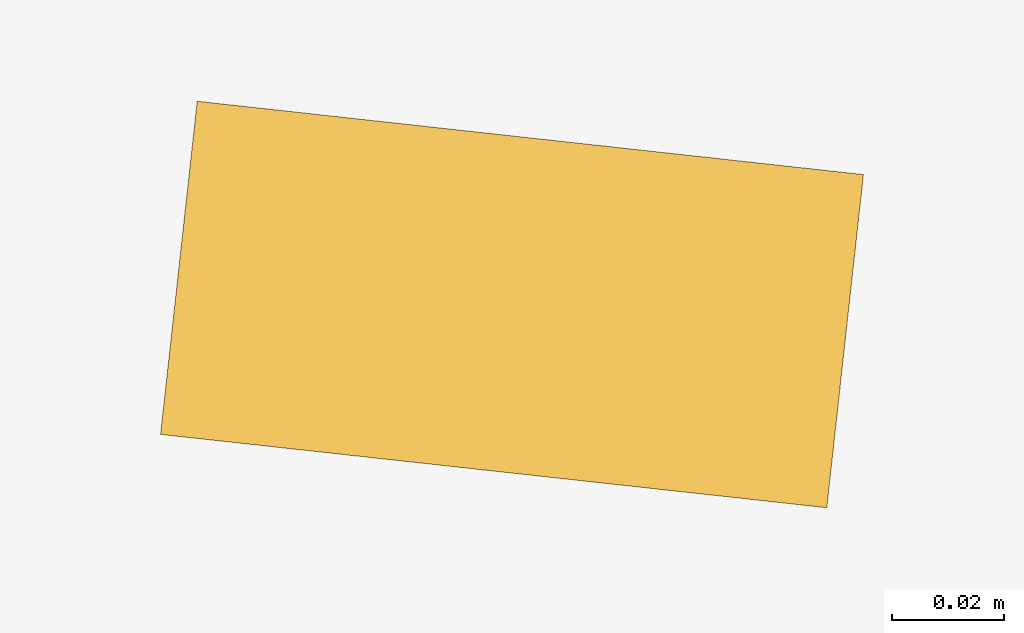
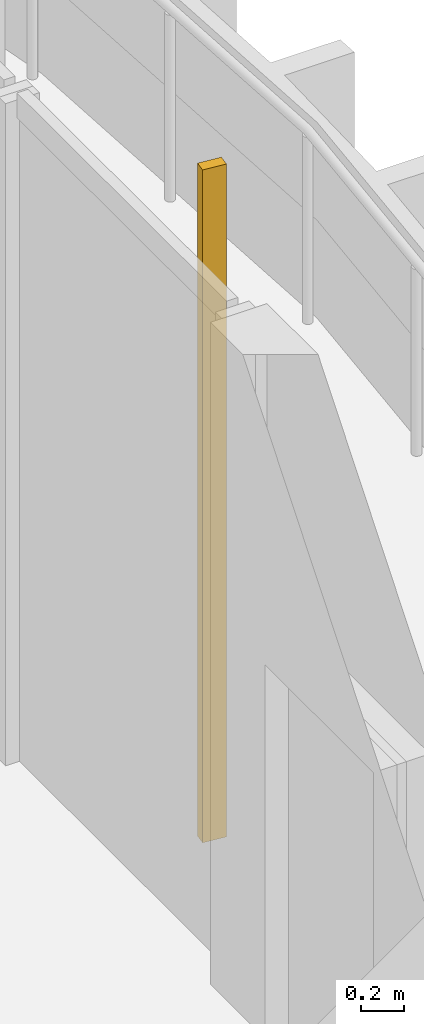
# One storey, part 25 of 27: 1 shading device.
"""IFC4 building model written with IfcOpenShell, lengths in metres."""

import ifcopenshell
import ifcopenshell.guid

model = None  # the IFC model being written
_history = None  # IfcOwnerHistory: only IFC2X3 demands one
_inside = {}  # id of a spatial element -> (the spatial element, [elements in it])
_under = {}  # id of a project, library or spatial element -> (it, [spatial elements below it])
_declared = {}  # id of a project -> (the project, [libraries it declares])
_typed = {}  # id of a type object -> (the type object, [elements of that type])
_made_of = {}  # id of a material, layer set ... -> (it, [elements and type objects made of it])


def new_model(schema):
    """Start an empty IFC model of exactly this schema.

    Asked for "IFC4X3", IfcOpenShell would pick the latest addendum, in which some entities
    have other attributes; the version numbers below select the first issue.
    IFC2X3 requires an IfcOwnerHistory on every rooted entity: one is made here for all.
    """
    global model, _history
    if schema == "IFC4X3":
        model = ifcopenshell.file(schema_version=(4, 3, 0, 0))
    else:
        model = ifcopenshell.file(schema=schema)
    _inside.clear()
    _under.clear()
    _declared.clear()
    _typed.clear()
    _made_of.clear()
    _history = None
    if model.schema == "IFC2X3":
        org = make("IfcOrganization", Name="unknown")
        user = make(
            "IfcPersonAndOrganization",
            ThePerson=make("IfcPerson", FamilyName="unknown"),
            TheOrganization=org,
        )
        app = make(
            "IfcApplication",
            ApplicationDeveloper=org,
            Version="unknown",
            ApplicationFullName="unknown",
            ApplicationIdentifier="unknown",
        )
        _history = make(
            "IfcOwnerHistory",
            OwningUser=user,
            OwningApplication=app,
            ChangeAction="ADDED",
            CreationDate=0,
        )
    return model


def make(cls, **values):
    """One entity of the class cls with the attributes given. An attribute that is None is left unset."""
    return model.create_entity(
        cls, **{name: value for name, value in values.items() if value is not None}
    )


def rooted(cls, **values):
    """An entity with a GlobalId (a new one), such as an element, a storey or a relation."""
    return make(cls, GlobalId=ifcopenshell.guid.new(), OwnerHistory=_history, **values)


def si_unit(unit_type, name, prefix=None):
    """IfcSIUnit, for example si_unit("LENGTHUNIT", "METRE", prefix="MILLI")."""
    return make("IfcSIUnit", UnitType=unit_type, Prefix=prefix, Name=name)


def assignment(units):
    """IfcUnitAssignment: the units of a project."""
    return None if units is None else make("IfcUnitAssignment", Units=units)


def point(xyz):
    """IfcCartesianPoint."""
    return None if xyz is None else make("IfcCartesianPoint", Coordinates=xyz)


def direction(xyz):
    """IfcDirection."""
    return None if xyz is None else make("IfcDirection", DirectionRatios=xyz)


def frame(location, z_axis=None, x_axis=None):
    """IfcAxis2Placement3D, a coordinate frame: its origin and axes. An axis left out is left unset."""
    return make(
        "IfcAxis2Placement3D",
        Location=point(location),
        Axis=direction(z_axis),
        RefDirection=direction(x_axis),
    )


def frame_2d(location, x_axis=None):
    """IfcAxis2Placement2D, a coordinate frame in the plane: its origin and x axis."""
    return make(
        "IfcAxis2Placement2D", Location=point(location), RefDirection=direction(x_axis)
    )


def origin():
    """The frame at (0, 0, 0) with its axes left unset."""
    return frame((0.0, 0.0, 0.0))


def origin_2d():
    """The frame at (0, 0) in the plane with its x axis left unset."""
    return frame_2d((0.0, 0.0))


def place(relative_to, where):
    """IfcLocalPlacement: puts the frame where relative to a parent placement (None: the world)."""
    return make(
        "IfcLocalPlacement", PlacementRelTo=relative_to, RelativePlacement=where
    )


def context(
    kind, dimensions, precision=None, world=None, true_north=None, identifier=None
):
    """IfcGeometricRepresentationContext, for example the 3D "Model" context."""
    return make(
        "IfcGeometricRepresentationContext",
        ContextIdentifier=identifier,
        ContextType=kind,
        CoordinateSpaceDimension=dimensions,
        Precision=precision,
        WorldCoordinateSystem=world,
        TrueNorth=true_north,
    )


def subcontext(parent, identifier, kind, view, scale=None):
    """IfcGeometricRepresentationSubContext, for example "Body" below "Model"."""
    return make(
        "IfcGeometricRepresentationSubContext",
        ContextIdentifier=identifier,
        ContextType=kind,
        ParentContext=parent,
        TargetScale=scale,
        TargetView=view,
    )


def project(units=None, contexts=None):
    """IfcProject with its units and contexts."""
    return rooted(
        "IfcProject",
        Name="project",
        RepresentationContexts=contexts,
        UnitsInContext=assignment(units),
    )


def spatial(cls, under=None, at=None, **own):
    """A site, building, storey or space (cls), placed at a placement, below another one or the project."""
    s = rooted(cls, ObjectPlacement=at, **own)
    if under is not None:
        _under.setdefault(under.id(), (under, []))[1].append(s)
    return s


def profile(cls, at=None, kind="AREA", **sizes):
    """A parametric profile (cls). Its sizes go by their IFC names, for example OverallWidth=200.0."""
    return make(cls, ProfileType=kind, Position=at, **sizes)


def rectangle(**sizes):
    """IfcRectangleProfileDef."""
    return profile("IfcRectangleProfileDef", **sizes)


def extrude(swept, where, along, depth):
    """IfcExtrudedAreaSolid: the profile swept, set in the frame where, extruded along a direction by depth."""
    return make(
        "IfcExtrudedAreaSolid",
        SweptArea=swept,
        Position=where,
        ExtrudedDirection=direction(along),
        Depth=depth,
    )


def shape(context_of_items, identifier, shape_type, items):
    """IfcShapeRepresentation: the items that make up one representation, for example the "Body"."""
    return make(
        "IfcShapeRepresentation",
        ContextOfItems=context_of_items,
        RepresentationIdentifier=identifier,
        RepresentationType=shape_type,
        Items=items,
    )


def source(mapping_origin, context_of_items, identifier, shape_type, items):
    """IfcRepresentationMap: a shape defined once, which mapped items show again and again."""
    return make(
        "IfcRepresentationMap",
        MappingOrigin=mapping_origin,
        MappedRepresentation=shape(context_of_items, identifier, shape_type, items),
    )


def transform(
    local_origin,
    x_axis=None,
    y_axis=None,
    z_axis=None,
    scale=None,
    scale2=None,
    scale3=None,
    uniform=True,
):
    """IfcCartesianTransformationOperator3D, or its non-uniform kind. x_axis, y_axis, z_axis: its Axis1, 2, 3."""
    if uniform:
        return make(
            "IfcCartesianTransformationOperator3D",
            Axis1=direction(x_axis),
            Axis2=direction(y_axis),
            LocalOrigin=point(local_origin),
            Scale=scale,
            Axis3=direction(z_axis),
        )
    return make(
        "IfcCartesianTransformationOperator3DnonUniform",
        Axis1=direction(x_axis),
        Axis2=direction(y_axis),
        LocalOrigin=point(local_origin),
        Scale=scale,
        Axis3=direction(z_axis),
        Scale2=scale2,
        Scale3=scale3,
    )


def mapped(mapping_source, mapping_target):
    """IfcMappedItem: shows the shape of a source again, moved by a transform."""
    return make(
        "IfcMappedItem", MappingSource=mapping_source, MappingTarget=mapping_target
    )


def material(Name=None, Category=None):
    """IfcMaterial."""
    return make("IfcMaterial", Name=Name, Category=Category)


def material_profile(
    of_material, cross_section, Name=None, Category=None, Priority=None
):
    """IfcMaterialProfile: a cross section and its material."""
    return make(
        "IfcMaterialProfile",
        Name=Name,
        Material=of_material,
        Profile=cross_section,
        Priority=Priority,
        Category=Category,
    )


def profile_set(profiles, Name=None, composite=None):
    """IfcMaterialProfileSet."""
    return make(
        "IfcMaterialProfileSet",
        Name=Name,
        MaterialProfiles=profiles,
        CompositeProfile=composite,
    )


def made_of(thing, what):
    """Note that an element or type object is made of a material, layer set ...; save() writes the relation."""
    if what is not None:
        _made_of.setdefault(what.id(), (what, []))[1].append(thing)
    return thing


def type_object(cls, material=None, **own):
    """A type object (cls), such as IfcWallType, which elements share."""
    return made_of(rooted(cls, **own), material)


def element(
    cls,
    number,
    at=None,
    inside=None,
    cuts=None,
    type_object=None,
    material=None,
    context=None,
    identifier="Body",
    shape_type=None,
    held_by="IfcProductDefinitionShape",
    body=None,
    shapes=None,
    **own,
):
    """One element of the class cls, such as IfcWall. Its Tag is "e" and its number.

    at: its placement. inside: the storey or other place that contains it. cuts: it is an
    opening in that element (IfcRelVoidsElement). A single representation is given by context,
    identifier, shape_type and body (its items); several are given by shapes. held_by: the class
    of the entity that holds the representations. save() writes the other relations.
    """
    e = rooted(cls, Tag="e%d" % number, ObjectPlacement=at, **own)
    if body is not None:
        shapes = [shape(context, identifier, shape_type, body)]
    if shapes is not None:
        e.Representation = make(held_by, Representations=shapes)
    if inside is not None:
        _inside.setdefault(inside.id(), (inside, []))[1].append(e)
    if cuts is not None:
        rooted(
            "IfcRelVoidsElement", RelatingBuildingElement=cuts, RelatedOpeningElement=e
        )
    if type_object is not None:
        _typed.setdefault(type_object.id(), (type_object, []))[1].append(e)
    return made_of(e, material)


def aggregate(whole, parts):
    """IfcRelAggregates: a whole, such as a stair, and the parts it consists of."""
    return rooted("IfcRelAggregates", RelatingObject=whole, RelatedObjects=parts)


def save(model, path):
    """Write the relations noted so far, then the file.

    IfcRelAggregates (storeys below a building ...), IfcRelContainedInSpatialStructure (elements
    in a storey), IfcRelDefinesByType, IfcRelAssociatesMaterial and IfcRelDeclares: one each for
    every whole, place, type object, material and project.
    """
    for whole, parts in _under.values():
        aggregate(whole, parts)
    for where, things in _inside.values():
        rooted(
            "IfcRelContainedInSpatialStructure",
            RelatedElements=things,
            RelatingStructure=where,
        )
    for kind, things in _typed.values():
        rooted("IfcRelDefinesByType", RelatedObjects=things, RelatingType=kind)
    for what, things in _made_of.values():
        rooted("IfcRelAssociatesMaterial", RelatedObjects=things, RelatingMaterial=what)
    for by, libraries in _declared.values():
        rooted("IfcRelDeclares", RelatingContext=by, RelatedDefinitions=libraries)
    model.write(path)


model = new_model("IFC4")

# Units and contexts
model_context = context("Model", 3, precision=1e-05, world=origin(), true_north=direction((0.0, 1.0)))
body_context = subcontext(model_context, "Body", "Model", "MODEL_VIEW")
ifc_project = project(units=[si_unit("LENGTHUNIT", "METRE"), si_unit("AREAUNIT", "SQUARE_METRE"), si_unit("VOLUMEUNIT", "CUBIC_METRE"), si_unit("PLANEANGLEUNIT", "RADIAN"), si_unit("MASSUNIT", "GRAM", prefix="KILO")], contexts=[model_context])

# Site, building, storey
site_placement = place(None, origin())
site = spatial("IfcSite", under=ifc_project, at=site_placement, CompositionType="ELEMENT")
building_placement = place(site_placement, origin())
building = spatial("IfcBuilding", under=site, at=building_placement, Name="Kilnfold Tower and Market Hall", CompositionType="ELEMENT")
storey_placement = place(building_placement, frame((0.0, 0.0, 47.0)))
storey = spatial("IfcBuildingStorey", under=building, at=storey_placement, Name="L10", CompositionType="ELEMENT", Elevation=47.0)

# Shading device
ifc_material = material(Name="Terracotta", Category="masonry")
ifc_material_profile = material_profile(ifc_material, rectangle(XDim=0.06005859375, YDim=0.1201171875, at=origin_2d()), Name="BAG 60x120")
ifc_profile_set = profile_set([ifc_material_profile], Name="Terracotta")
shading_device_type = type_object("IfcShadingDeviceType", Name="BAGUETTE", PredefinedType="USERDEFINED", material=ifc_profile_set)
shared_shape = source(origin(), body_context, "Body", "SweptSolid", [
    extrude(rectangle(XDim=0.06005859375, YDim=0.1201171875, at=origin_2d()), origin(), (0.0, 0.0, 1.0), 3.780029296875),
])
shading_device_placement = place(storey_placement, frame((28.300048828125, 2.47509765625, 0.0), z_axis=(0.0, 0.0, 1.0), x_axis=(0.109383876874, 0.993999581227, 0.0)))
element("IfcShadingDevice", 1, at=shading_device_placement, inside=storey, type_object=shading_device_type, Name="Terracotta baguette L10 E", ObjectType="BAGUETTE", PredefinedType="USERDEFINED", context=body_context, shape_type="MappedRepresentation", body=[
    mapped(shared_shape, transform((0.0, 0.0, 0.0))),
])

save(model, "model.ifc")
